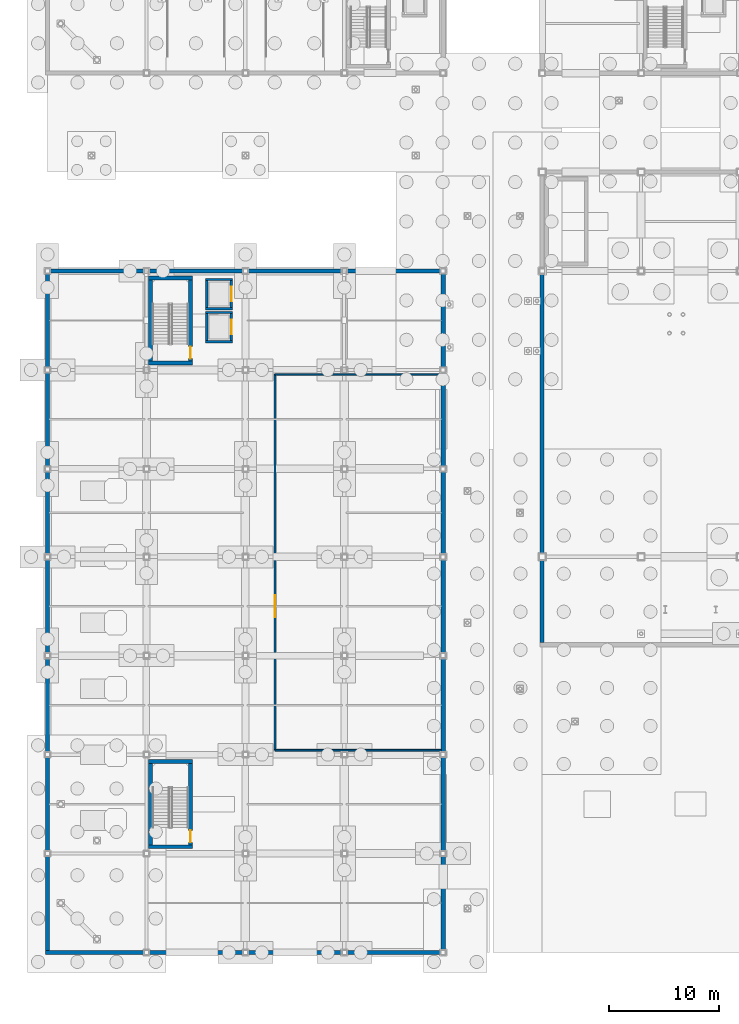
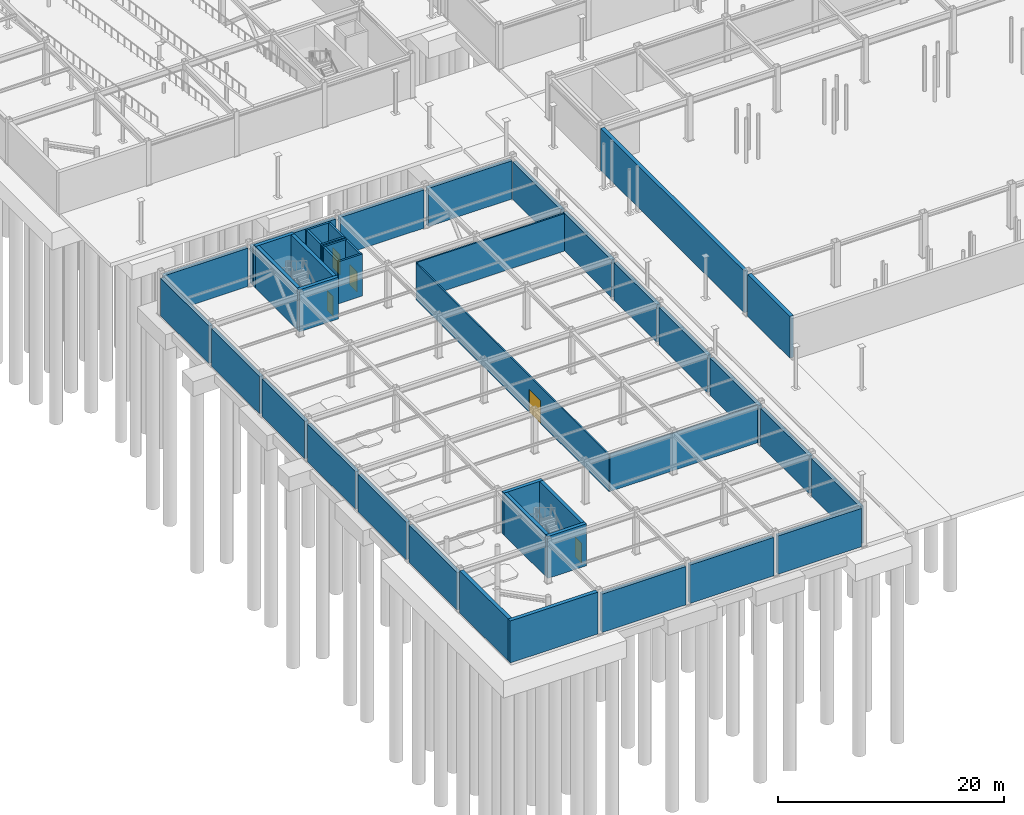
# One storey, part 52 of 74: 43 walls, 5 doors, 5 openings.
"""IFC4 building model written with IfcOpenShell, lengths in metres."""

import ifcopenshell
import ifcopenshell.guid

model = None  # the IFC model being written
_history = None  # IfcOwnerHistory: only IFC2X3 demands one
_inside = {}  # id of a spatial element -> (the spatial element, [elements in it])
_under = {}  # id of a project, library or spatial element -> (it, [spatial elements below it])
_declared = {}  # id of a project -> (the project, [libraries it declares])
_typed = {}  # id of a type object -> (the type object, [elements of that type])
_made_of = {}  # id of a material, layer set ... -> (it, [elements and type objects made of it])


def new_model(schema):
    """Start an empty IFC model of exactly this schema.

    Asked for "IFC4X3", IfcOpenShell would pick the latest addendum, in which some entities
    have other attributes; the version numbers below select the first issue.
    IFC2X3 requires an IfcOwnerHistory on every rooted entity: one is made here for all.
    """
    global model, _history
    if schema == "IFC4X3":
        model = ifcopenshell.file(schema_version=(4, 3, 0, 0))
    else:
        model = ifcopenshell.file(schema=schema)
    _inside.clear()
    _under.clear()
    _declared.clear()
    _typed.clear()
    _made_of.clear()
    _history = None
    if model.schema == "IFC2X3":
        org = make("IfcOrganization", Name="unknown")
        user = make(
            "IfcPersonAndOrganization",
            ThePerson=make("IfcPerson", FamilyName="unknown"),
            TheOrganization=org,
        )
        app = make(
            "IfcApplication",
            ApplicationDeveloper=org,
            Version="unknown",
            ApplicationFullName="unknown",
            ApplicationIdentifier="unknown",
        )
        _history = make(
            "IfcOwnerHistory",
            OwningUser=user,
            OwningApplication=app,
            ChangeAction="ADDED",
            CreationDate=0,
        )
    return model


def make(cls, **values):
    """One entity of the class cls with the attributes given. An attribute that is None is left unset."""
    return model.create_entity(
        cls, **{name: value for name, value in values.items() if value is not None}
    )


def rooted(cls, **values):
    """An entity with a GlobalId (a new one), such as an element, a storey or a relation."""
    return make(cls, GlobalId=ifcopenshell.guid.new(), OwnerHistory=_history, **values)


def si_unit(unit_type, name, prefix=None):
    """IfcSIUnit, for example si_unit("LENGTHUNIT", "METRE", prefix="MILLI")."""
    return make("IfcSIUnit", UnitType=unit_type, Prefix=prefix, Name=name)


def assignment(units):
    """IfcUnitAssignment: the units of a project."""
    return None if units is None else make("IfcUnitAssignment", Units=units)


def point(xyz):
    """IfcCartesianPoint."""
    return None if xyz is None else make("IfcCartesianPoint", Coordinates=xyz)


def direction(xyz):
    """IfcDirection."""
    return None if xyz is None else make("IfcDirection", DirectionRatios=xyz)


def frame(location, z_axis=None, x_axis=None):
    """IfcAxis2Placement3D, a coordinate frame: its origin and axes. An axis left out is left unset."""
    return make(
        "IfcAxis2Placement3D",
        Location=point(location),
        Axis=direction(z_axis),
        RefDirection=direction(x_axis),
    )


def frame_2d(location, x_axis=None):
    """IfcAxis2Placement2D, a coordinate frame in the plane: its origin and x axis."""
    return make(
        "IfcAxis2Placement2D", Location=point(location), RefDirection=direction(x_axis)
    )


def origin():
    """The frame at (0, 0, 0) with its axes left unset."""
    return frame((0.0, 0.0, 0.0))


def place(relative_to, where):
    """IfcLocalPlacement: puts the frame where relative to a parent placement (None: the world)."""
    return make(
        "IfcLocalPlacement", PlacementRelTo=relative_to, RelativePlacement=where
    )


def context(
    kind, dimensions, precision=None, world=None, true_north=None, identifier=None
):
    """IfcGeometricRepresentationContext, for example the 3D "Model" context."""
    return make(
        "IfcGeometricRepresentationContext",
        ContextIdentifier=identifier,
        ContextType=kind,
        CoordinateSpaceDimension=dimensions,
        Precision=precision,
        WorldCoordinateSystem=world,
        TrueNorth=true_north,
    )


def subcontext(parent, identifier, kind, view, scale=None):
    """IfcGeometricRepresentationSubContext, for example "Body" below "Model"."""
    return make(
        "IfcGeometricRepresentationSubContext",
        ContextIdentifier=identifier,
        ContextType=kind,
        ParentContext=parent,
        TargetScale=scale,
        TargetView=view,
    )


def project(units=None, contexts=None):
    """IfcProject with its units and contexts."""
    return rooted(
        "IfcProject",
        Name="project",
        RepresentationContexts=contexts,
        UnitsInContext=assignment(units),
    )


def spatial(cls, under=None, at=None, **own):
    """A site, building, storey or space (cls), placed at a placement, below another one or the project."""
    s = rooted(cls, ObjectPlacement=at, **own)
    if under is not None:
        _under.setdefault(under.id(), (under, []))[1].append(s)
    return s


def profile(cls, at=None, kind="AREA", **sizes):
    """A parametric profile (cls). Its sizes go by their IFC names, for example OverallWidth=200.0."""
    return make(cls, ProfileType=kind, Position=at, **sizes)


def rectangle(**sizes):
    """IfcRectangleProfileDef."""
    return profile("IfcRectangleProfileDef", **sizes)


def extrude(swept, where, along, depth):
    """IfcExtrudedAreaSolid: the profile swept, set in the frame where, extruded along a direction by depth."""
    return make(
        "IfcExtrudedAreaSolid",
        SweptArea=swept,
        Position=where,
        ExtrudedDirection=direction(along),
        Depth=depth,
    )


def shape(context_of_items, identifier, shape_type, items):
    """IfcShapeRepresentation: the items that make up one representation, for example the "Body"."""
    return make(
        "IfcShapeRepresentation",
        ContextOfItems=context_of_items,
        RepresentationIdentifier=identifier,
        RepresentationType=shape_type,
        Items=items,
    )


def material(Name=None, Category=None):
    """IfcMaterial."""
    return make("IfcMaterial", Name=Name, Category=Category)


def layer(
    of_material, thickness, ventilated=None, Name=None, Category=None, Priority=None
):
    """IfcMaterialLayer: one layer of a wall or slab, of a material (None: an air gap)."""
    return make(
        "IfcMaterialLayer",
        Material=of_material,
        LayerThickness=thickness,
        IsVentilated=ventilated,
        Name=Name,
        Category=Category,
        Priority=Priority,
    )


def layer_set(layers, Name=None):
    """IfcMaterialLayerSet."""
    return make("IfcMaterialLayerSet", MaterialLayers=layers, LayerSetName=Name)


def made_of(thing, what):
    """Note that an element or type object is made of a material, layer set ...; save() writes the relation."""
    if what is not None:
        _made_of.setdefault(what.id(), (what, []))[1].append(thing)
    return thing


def type_object(cls, material=None, **own):
    """A type object (cls), such as IfcWallType, which elements share."""
    return made_of(rooted(cls, **own), material)


def element(
    cls,
    number,
    at=None,
    inside=None,
    cuts=None,
    type_object=None,
    material=None,
    context=None,
    identifier="Body",
    shape_type=None,
    held_by="IfcProductDefinitionShape",
    body=None,
    shapes=None,
    **own,
):
    """One element of the class cls, such as IfcWall. Its Tag is "e" and its number.

    at: its placement. inside: the storey or other place that contains it. cuts: it is an
    opening in that element (IfcRelVoidsElement). A single representation is given by context,
    identifier, shape_type and body (its items); several are given by shapes. held_by: the class
    of the entity that holds the representations. save() writes the other relations.
    """
    e = rooted(cls, Tag="e%d" % number, ObjectPlacement=at, **own)
    if body is not None:
        shapes = [shape(context, identifier, shape_type, body)]
    if shapes is not None:
        e.Representation = make(held_by, Representations=shapes)
    if inside is not None:
        _inside.setdefault(inside.id(), (inside, []))[1].append(e)
    if cuts is not None:
        rooted(
            "IfcRelVoidsElement", RelatingBuildingElement=cuts, RelatedOpeningElement=e
        )
    if type_object is not None:
        _typed.setdefault(type_object.id(), (type_object, []))[1].append(e)
    return made_of(e, material)


def fill(opening, filler):
    """IfcRelFillsElement: the door or window that sits in an opening."""
    return rooted(
        "IfcRelFillsElement",
        RelatingOpeningElement=opening,
        RelatedBuildingElement=filler,
    )


def aggregate(whole, parts):
    """IfcRelAggregates: a whole, such as a stair, and the parts it consists of."""
    return rooted("IfcRelAggregates", RelatingObject=whole, RelatedObjects=parts)


def save(model, path):
    """Write the relations noted so far, then the file.

    IfcRelAggregates (storeys below a building ...), IfcRelContainedInSpatialStructure (elements
    in a storey), IfcRelDefinesByType, IfcRelAssociatesMaterial and IfcRelDeclares: one each for
    every whole, place, type object, material and project.
    """
    for whole, parts in _under.values():
        aggregate(whole, parts)
    for where, things in _inside.values():
        rooted(
            "IfcRelContainedInSpatialStructure",
            RelatedElements=things,
            RelatingStructure=where,
        )
    for kind, things in _typed.values():
        rooted("IfcRelDefinesByType", RelatedObjects=things, RelatingType=kind)
    for what, things in _made_of.values():
        rooted("IfcRelAssociatesMaterial", RelatedObjects=things, RelatingMaterial=what)
    for by, libraries in _declared.values():
        rooted("IfcRelDeclares", RelatingContext=by, RelatedDefinitions=libraries)
    model.write(path)


model = new_model("IFC4")

# Units and contexts
model_context = context("Model", 3, precision=1e-05, world=origin(), true_north=direction((0.0, 1.0)))
body_context = subcontext(model_context, "Body", "Model", "MODEL_VIEW")
ifc_project = project(units=[si_unit("LENGTHUNIT", "METRE"), si_unit("AREAUNIT", "SQUARE_METRE"), si_unit("VOLUMEUNIT", "CUBIC_METRE"), si_unit("PLANEANGLEUNIT", "RADIAN"), si_unit("MASSUNIT", "GRAM", prefix="KILO")], contexts=[model_context])

# Site, building, storey
site_placement = place(None, origin())
site = spatial("IfcSite", under=ifc_project, at=site_placement, CompositionType="ELEMENT")
building_placement = place(site_placement, origin())
building = spatial("IfcBuilding", under=site, at=building_placement, Name="Suzunagisa Mobility Hub", CompositionType="ELEMENT")
storey_placement = place(building_placement, frame((0.0, 0.0, -4.800048828125)))
storey = spatial("IfcBuildingStorey", under=building, at=storey_placement, Name="B1", CompositionType="ELEMENT", Elevation=-4.800048828125)

# Walls
ifc_material_1 = material(Name="Concrete C35/45", Category="concrete")
ifc_layer_1 = layer(ifc_material_1, 0.3798828125)
ifc_layer_set_1 = layer_set([ifc_layer_1], Name="Concrete C35/45")
wall_type_1 = type_object("IfcWallType", Name="Exterior Wall EW-06 380mm", PredefinedType="USERDEFINED", material=ifc_layer_set_1)
wall_1_placement = place(storey_placement, frame((-0.18994140625, 0.0, 0.0), z_axis=(0.0, 0.0, 1.0), x_axis=(1.0, 0.0, 0.0)))
element("IfcWall", 1, at=wall_1_placement, inside=storey, type_object=wall_type_1, Name="B1 Perimeter Retaining Wall RW-1", ObjectType="RETAINING WALL", PredefinedType="USERDEFINED", context=body_context, shape_type="SweptSolid", body=[
    extrude(rectangle(XDim=8.96484375, YDim=0.3798828125, at=frame_2d((4.482421875, 0.0))), origin(), (0.0, 0.0, 1.0), 4.5400390625),
])
for number, where, z_axis, x_axis, name in (
    (2, (9.22509765625, 0.0, 0.0), (0.0, 0.0, 1.0), (1.0, 0.0, 0.0), "B1 Perimeter Retaining Wall RW-2"),
    (3, (18.22509765625, 0.0, 0.0), (0.0, 0.0, 1.0), (1.0, 0.0, 0.0), "B1 Perimeter Retaining Wall RW-3"),
    (4, (27.22509765625, 0.0, 0.0), (0.0, 0.0, 1.0), (1.0, 0.0, 0.0), "B1 Perimeter Retaining Wall RW-4"),
):
    element("IfcWall", number, at=place(storey_placement, frame(where, z_axis=z_axis, x_axis=x_axis)), inside=storey, type_object=wall_type_1, Name=name, ObjectType="RETAINING WALL", PredefinedType="USERDEFINED", context=body_context, shape_type="SweptSolid", body=[
        extrude(rectangle(XDim=8.5498046875, YDim=0.3798828125, at=frame_2d((4.27490234375, 0.0))), origin(), (0.0, 0.0, 1.0), 4.150146484375),
    ])
for number, where, z_axis, x_axis, name in (
    (5, (36.0, 0.22509765625, 0.0), (0.0, 0.0, 1.0), (0.0, 1.0, 0.0), "B1 Perimeter Retaining Wall RW-5"),
    (6, (36.0, 9.22509765625, 0.0), (0.0, 0.0, 1.0), (0.0, 1.0, 0.0), "B1 Perimeter Retaining Wall RW-6"),
    (7, (36.0, 18.22509765625, 0.0), (0.0, 0.0, 1.0), (0.0, 1.0, 0.0), "B1 Perimeter Retaining Wall RW-7"),
    (8, (36.0, 27.22509765625, 0.0), (0.0, 0.0, 1.0), (0.0, 1.0, 0.0), "B1 Perimeter Retaining Wall RW-8"),
):
    element("IfcWall", number, at=place(storey_placement, frame(where, z_axis=z_axis, x_axis=x_axis)), inside=storey, type_object=wall_type_1, Name=name, ObjectType="RETAINING WALL", PredefinedType="USERDEFINED", context=body_context, shape_type="SweptSolid", body=[
        extrude(rectangle(XDim=8.5498046875, YDim=0.3798828125, at=frame_2d((4.27490234375, 0.0))), origin(), (0.0, 0.0, 1.0), 4.052001953125),
    ])
wall_2_placement = place(storey_placement, frame((36.0, 36.22509765625, 0.0), z_axis=(0.0, 0.0, 1.0), x_axis=(0.0, 1.0, 0.0)))
element("IfcWall", 9, at=wall_2_placement, inside=storey, type_object=wall_type_1, Name="B1 Perimeter Retaining Wall RW-9", ObjectType="RETAINING WALL", PredefinedType="USERDEFINED", context=body_context, shape_type="SweptSolid", body=[
    extrude(rectangle(XDim=7.5498046875, YDim=0.3798828125, at=frame_2d((3.77490234375, 0.0))), origin(), (0.0, 0.0, 1.0), 4.052001953125),
])
for number, where, z_axis, x_axis, name in (
    (10, (36.0, 44.22509765625, 0.0), (0.0, 0.0, 1.0), (0.0, 1.0, 0.0), "B1 Perimeter Retaining Wall RW-10"),
    (11, (36.0, 53.22509765625, 0.0), (0.0, 0.0, 1.0), (0.0, 1.0, 0.0), "B1 Perimeter Retaining Wall RW-11"),
):
    element("IfcWall", number, at=place(storey_placement, frame(where, z_axis=z_axis, x_axis=x_axis)), inside=storey, type_object=wall_type_1, Name=name, ObjectType="RETAINING WALL", PredefinedType="USERDEFINED", context=body_context, shape_type="SweptSolid", body=[
        extrude(rectangle(XDim=8.5498046875, YDim=0.3798828125, at=frame_2d((4.27490234375, 0.0))), origin(), (0.0, 0.0, 1.0), 4.052001953125),
    ])
for number, where, z_axis, x_axis, name in (
    (12, (35.77490234375, 62.0, 0.0), (0.0, 0.0, 1.0), (-1.0, 0.0, 0.0), "B1 Perimeter Retaining Wall RW-12"),
    (13, (26.77490234375, 62.0, 0.0), (0.0, 0.0, 1.0), (-1.0, 0.0, 0.0), "B1 Perimeter Retaining Wall RW-13"),
    (14, (17.77490234375, 62.0, 0.0), (0.0, 0.0, 1.0), (-1.0, 0.0, 0.0), "B1 Perimeter Retaining Wall RW-14"),
    (15, (8.77490234375, 62.0, 0.0), (0.0, 0.0, 1.0), (-1.0, 0.0, 0.0), "B1 Perimeter Retaining Wall RW-15"),
):
    element("IfcWall", number, at=place(storey_placement, frame(where, z_axis=z_axis, x_axis=x_axis)), inside=storey, type_object=wall_type_1, Name=name, ObjectType="RETAINING WALL", PredefinedType="USERDEFINED", context=body_context, shape_type="SweptSolid", body=[
        extrude(rectangle(XDim=8.5498046875, YDim=0.3798828125, at=frame_2d((4.27490234375, 0.0))), origin(), (0.0, 0.0, 1.0), 4.150146484375),
    ])
for number, where, z_axis, x_axis, name in (
    (16, (0.0, 61.77490234375, 0.0), (0.0, 0.0, 1.0), (0.0, -1.0, 0.0), "B1 Perimeter Retaining Wall RW-16"),
    (17, (0.0, 52.77490234375, 0.0), (0.0, 0.0, 1.0), (0.0, -1.0, 0.0), "B1 Perimeter Retaining Wall RW-17"),
):
    element("IfcWall", number, at=place(storey_placement, frame(where, z_axis=z_axis, x_axis=x_axis)), inside=storey, type_object=wall_type_1, Name=name, ObjectType="RETAINING WALL", PredefinedType="USERDEFINED", context=body_context, shape_type="SweptSolid", body=[
        extrude(rectangle(XDim=8.5498046875, YDim=0.3798828125, at=frame_2d((4.27490234375, 0.0))), origin(), (0.0, 0.0, 1.0), 4.052001953125),
    ])
wall_3_placement = place(storey_placement, frame((0.0, 43.77490234375, 0.0), z_axis=(0.0, 0.0, 1.0), x_axis=(0.0, -1.0, 0.0)))
element("IfcWall", 18, at=wall_3_placement, inside=storey, type_object=wall_type_1, Name="B1 Perimeter Retaining Wall RW-18", ObjectType="RETAINING WALL", PredefinedType="USERDEFINED", context=body_context, shape_type="SweptSolid", body=[
    extrude(rectangle(XDim=7.5498046875, YDim=0.3798828125, at=frame_2d((3.77490234375, 0.0))), origin(), (0.0, 0.0, 1.0), 4.052001953125),
])
for number, where, z_axis, x_axis, name in (
    (19, (0.0, 35.77490234375, 0.0), (0.0, 0.0, 1.0), (0.0, -1.0, 0.0), "B1 Perimeter Retaining Wall RW-19"),
    (20, (0.0, 26.77490234375, 0.0), (0.0, 0.0, 1.0), (0.0, -1.0, 0.0), "B1 Perimeter Retaining Wall RW-20"),
    (21, (0.0, 17.77490234375, 0.0), (0.0, 0.0, 1.0), (0.0, -1.0, 0.0), "B1 Perimeter Retaining Wall RW-21"),
):
    element("IfcWall", number, at=place(storey_placement, frame(where, z_axis=z_axis, x_axis=x_axis)), inside=storey, type_object=wall_type_1, Name=name, ObjectType="RETAINING WALL", PredefinedType="USERDEFINED", context=body_context, shape_type="SweptSolid", body=[
        extrude(rectangle(XDim=8.5498046875, YDim=0.3798828125, at=frame_2d((4.27490234375, 0.0))), origin(), (0.0, 0.0, 1.0), 4.052001953125),
    ])
wall_4_placement = place(storey_placement, frame((0.0, 8.77490234375, 0.0), z_axis=(0.0, 0.0, 1.0), x_axis=(0.0, -1.0, 0.0)))
element("IfcWall", 22, at=wall_4_placement, inside=storey, type_object=wall_type_1, Name="B1 Perimeter Retaining Wall RW-22", ObjectType="RETAINING WALL", PredefinedType="USERDEFINED", context=body_context, shape_type="SweptSolid", body=[
    extrude(rectangle(XDim=8.5849609375, YDim=0.3798828125, at=frame_2d((4.29248046875, 0.0))), origin(), (0.0, 0.0, 1.0), 4.5400390625),
])
wall_5_placement = place(storey_placement, frame((45.0, 61.75, 0.0), z_axis=(0.0, 0.0, 1.0), x_axis=(0.0, -1.0, 0.0)))
element("IfcWall", 23, at=wall_5_placement, inside=storey, type_object=wall_type_1, Name="B1 Perimeter Retaining Wall RW-70", ObjectType="RETAINING WALL", PredefinedType="USERDEFINED", context=body_context, shape_type="SweptSolid", body=[
    extrude(rectangle(XDim=25.449951171875, YDim=0.3798828125, at=frame_2d((12.72509765625, 0.0))), origin(), (0.0, 0.0, 1.0), 4.52001953125),
])
wall_6_placement = place(storey_placement, frame((45.0, 35.699951171875, 0.0), z_axis=(0.0, 0.0, 1.0), x_axis=(0.0, -1.0, 0.0)))
element("IfcWall", 24, at=wall_6_placement, inside=storey, type_object=wall_type_1, Name="B1 Perimeter Retaining Wall RW-71", ObjectType="RETAINING WALL", PredefinedType="USERDEFINED", context=body_context, shape_type="SweptSolid", body=[
    extrude(rectangle(XDim=7.510009765625, YDim=0.3798828125, at=frame_2d((3.7548828125, 0.0))), origin(), (0.0, 0.0, 1.0), 4.52001953125),
])

# Wall, opening, door
ifc_material_2 = material(Name="Fire-Rated Gypsum Stud Partition", Category="gypsum")
ifc_layer_2 = layer(ifc_material_2, 0.2099609375)
ifc_layer_set_2 = layer_set([ifc_layer_2], Name="Fire-Rated Gypsum Stud Partition")
wall_type_2 = type_object("IfcWallType", Name="Interior Wall IW-03 210mm", PredefinedType="PARTITIONING", material=ifc_layer_set_2)
wall_7_placement = place(storey_placement, frame((16.72509765625, 55.679931640625, 0.0), z_axis=(0.0, 0.0, 1.0), x_axis=(0.0, 1.0, 0.0)))
wall_7 = element("IfcWall", 25, at=wall_7_placement, inside=storey, type_object=wall_type_2, Name="B1 Lift LF-01 Shaft Front Wall", PredefinedType="PARTITIONING", context=body_context, shape_type="SweptSolid", body=[
    extrude(rectangle(XDim=2.440185546875, YDim=0.2099609375, at=frame_2d((1.22021484375, 0.0))), origin(), (0.0, 0.0, 1.0), 4.5400390625),
])
opening_1_placement = place(wall_7_placement, frame((0.570068359375, 0.0, 0.0)))
opening_1 = element("IfcOpeningElement", 26, at=opening_1_placement, cuts=wall_7, Name="Opening LD-02", PredefinedType="OPENING", context=body_context, shape_type="SweptSolid", body=[
    extrude(rectangle(XDim=1.300048828125, YDim=2.199951171875, at=frame_2d((0.64990234375, 1.10009765625))), frame((0.0, 0.115966796875, 0.0), z_axis=(0.0, -1.0, 0.0), x_axis=(1.0, 0.0, 0.0)), (0.0, 0.0, 1.0), 0.23193359375),
])
ifc_material_3 = material(Name="Brushed Stainless Steel SUS304", Category="metal")
door_type_1 = type_object("IfcDoorType", Name="Lift Landing Sliding Door LD-02 1300x2200", OperationType="SLIDING_TO_LEFT", PredefinedType="DOOR", material=ifc_material_3)
door_1_placement = place(opening_1_placement, origin())
door_1 = element("IfcDoor", 27, at=door_1_placement, inside=storey, type_object=door_type_1, Name="B1 Lift LF-01 Sliding Landing Door", OperationType="SLIDING_TO_RIGHT", OverallHeight=2.199951171875, OverallWidth=1.300048828125, PredefinedType="DOOR", context=body_context, shape_type="SweptSolid", body=[
    extrude(rectangle(XDim=1.300048828125, YDim=2.199951171875, at=frame_2d((0.64990234375, 1.10009765625))), frame((0.0, 0.02490234375, 0.0), z_axis=(0.0, -1.0, 0.0), x_axis=(1.0, 0.0, 0.0)), (0.0, 0.0, 1.0), 0.050048828125),
])
fill(opening_1, door_1)

# Walls
wall_8_placement = place(storey_placement, frame((14.47509765625, 55.679931640625, 0.0), z_axis=(0.0, 0.0, 1.0), x_axis=(0.0, 1.0, 0.0)))
element("IfcWall", 28, at=wall_8_placement, inside=storey, type_object=wall_type_2, Name="B1 Lift LF-01 Shaft Back Wall", PredefinedType="PARTITIONING", context=body_context, shape_type="SweptSolid", body=[
    extrude(rectangle(XDim=2.440185546875, YDim=0.2099609375, at=frame_2d((1.22021484375, 0.0))), origin(), (0.0, 0.0, 1.0), 4.5400390625),
])
for number, where, z_axis, x_axis, name in (
    (29, (14.3701171875, 55.574951171875, 0.0), (0.0, 0.0, 1.0), (1.0, 0.0, 0.0), "B1 Lift LF-01 Shaft South Wall"),
    (30, (14.3701171875, 58.22509765625, 0.0), (0.0, 0.0, 1.0), (1.0, 0.0, 0.0), "B1 Lift LF-01 Shaft North Wall"),
):
    element("IfcWall", number, at=place(storey_placement, frame(where, z_axis=z_axis, x_axis=x_axis)), inside=storey, type_object=wall_type_2, Name=name, PredefinedType="PARTITIONING", context=body_context, shape_type="SweptSolid", body=[
        extrude(rectangle(XDim=2.4599609375, YDim=0.2099609375, at=frame_2d((1.22998046875, 0.0))), origin(), (0.0, 0.0, 1.0), 4.5400390625),
    ])

# Wall, opening, door
wall_9_placement = place(storey_placement, frame((16.72509765625, 58.679931640625, 0.0), z_axis=(0.0, 0.0, 1.0), x_axis=(0.0, 1.0, 0.0)))
wall_9 = element("IfcWall", 31, at=wall_9_placement, inside=storey, type_object=wall_type_2, Name="B1 Lift LF-02 Shaft Front Wall", PredefinedType="PARTITIONING", context=body_context, shape_type="SweptSolid", body=[
    extrude(rectangle(XDim=2.440185546875, YDim=0.2099609375, at=frame_2d((1.22021484375, 0.0))), origin(), (0.0, 0.0, 1.0), 4.5400390625),
])
opening_2_placement = place(wall_9_placement, frame((0.570068359375, 0.0, 0.0)))
opening_2 = element("IfcOpeningElement", 32, at=opening_2_placement, cuts=wall_9, Name="Opening LD-02", PredefinedType="OPENING", context=body_context, shape_type="SweptSolid", body=[
    extrude(rectangle(XDim=1.300048828125, YDim=2.199951171875, at=frame_2d((0.64990234375, 1.10009765625))), frame((0.0, 0.115966796875, 0.0), z_axis=(0.0, -1.0, 0.0), x_axis=(1.0, 0.0, 0.0)), (0.0, 0.0, 1.0), 0.23193359375),
])
door_2_placement = place(opening_2_placement, origin())
door_2 = element("IfcDoor", 33, at=door_2_placement, inside=storey, type_object=door_type_1, Name="B1 Lift LF-02 Sliding Landing Door", OperationType="SLIDING_TO_LEFT", OverallHeight=2.199951171875, OverallWidth=1.300048828125, PredefinedType="DOOR", context=body_context, shape_type="SweptSolid", body=[
    extrude(rectangle(XDim=1.300048828125, YDim=2.199951171875, at=frame_2d((0.64990234375, 1.10009765625))), frame((0.0, 0.02490234375, 0.0), z_axis=(0.0, -1.0, 0.0), x_axis=(1.0, 0.0, 0.0)), (0.0, 0.0, 1.0), 0.050048828125),
])
fill(opening_2, door_2)

# Walls
wall_10_placement = place(storey_placement, frame((14.47509765625, 58.679931640625, 0.0), z_axis=(0.0, 0.0, 1.0), x_axis=(0.0, 1.0, 0.0)))
element("IfcWall", 34, at=wall_10_placement, inside=storey, type_object=wall_type_2, Name="B1 Lift LF-02 Shaft Back Wall", PredefinedType="PARTITIONING", context=body_context, shape_type="SweptSolid", body=[
    extrude(rectangle(XDim=2.440185546875, YDim=0.2099609375, at=frame_2d((1.22021484375, 0.0))), origin(), (0.0, 0.0, 1.0), 4.5400390625),
])
for number, where, z_axis, x_axis, name in (
    (35, (14.3701171875, 58.574951171875, 0.0), (0.0, 0.0, 1.0), (1.0, 0.0, 0.0), "B1 Lift LF-02 Shaft South Wall"),
    (36, (14.3701171875, 61.22509765625, 0.0), (0.0, 0.0, 1.0), (1.0, 0.0, 0.0), "B1 Lift LF-02 Shaft North Wall"),
):
    element("IfcWall", number, at=place(storey_placement, frame(where, z_axis=z_axis, x_axis=x_axis)), inside=storey, type_object=wall_type_2, Name=name, PredefinedType="PARTITIONING", context=body_context, shape_type="SweptSolid", body=[
        extrude(rectangle(XDim=2.4599609375, YDim=0.2099609375, at=frame_2d((1.22998046875, 0.0))), origin(), (0.0, 0.0, 1.0), 4.5400390625),
    ])
ifc_layer_3 = layer(ifc_material_1, 0.35009765625)
ifc_layer_set_3 = layer_set([ifc_layer_3], Name="Concrete C35/45")
wall_type_3 = type_object("IfcWallType", Name="Interior Wall IW-04 350mm", PredefinedType="SHEAR", material=ifc_layer_set_3)
for number, where, z_axis, x_axis, name in (
    (37, (9.2099609375, 53.625, 0.0), (0.0, 0.0, 1.0), (1.0, 0.0, 0.0), "B1 Core C1 Shear Wall SW-1"),
    (38, (9.2099609375, 61.375, 0.0), (0.0, 0.0, 1.0), (1.0, 0.0, 0.0), "B1 Core C1 Shear Wall SW-2"),
):
    element("IfcWall", number, at=place(storey_placement, frame(where, z_axis=z_axis, x_axis=x_axis)), inside=storey, type_object=wall_type_3, Name=name, PredefinedType="SHEAR", context=body_context, shape_type="SweptSolid", body=[
        extrude(rectangle(XDim=3.97998046875, YDim=0.35009765625, at=frame_2d((1.989990234375, 0.0))), origin(), (0.0, 0.0, 1.0), 4.5400390625),
    ])
wall_11_placement = place(storey_placement, frame((9.385009765625, 53.800048828125, 0.0), z_axis=(0.0, 0.0, 1.0), x_axis=(0.0, 1.0, 0.0)))
element("IfcWall", 39, at=wall_11_placement, inside=storey, type_object=wall_type_3, Name="B1 Core C1 Shear Wall SW-3", PredefinedType="SHEAR", context=body_context, shape_type="SweptSolid", body=[
    extrude(rectangle(XDim=7.39990234375, YDim=0.35009765625, at=frame_2d((3.699951171875, 0.0))), origin(), (0.0, 0.0, 1.0), 4.5400390625),
])

# Wall, opening, door
wall_12_placement = place(storey_placement, frame((13.014892578125, 53.800048828125, 0.0), z_axis=(0.0, 0.0, 1.0), x_axis=(0.0, 1.0, 0.0)))
wall_12 = element("IfcWall", 40, at=wall_12_placement, inside=storey, type_object=wall_type_3, Name="B1 Core C1 Shear Wall SW-4", PredefinedType="SHEAR", context=body_context, shape_type="SweptSolid", body=[
    extrude(rectangle(XDim=7.39990234375, YDim=0.35009765625, at=frame_2d((3.699951171875, 0.0))), origin(), (0.0, 0.0, 1.0), 4.5400390625),
])
opening_3_placement = place(wall_12_placement, frame((0.219970703125, 0.0, 0.0)))
opening_3 = element("IfcOpeningElement", 41, at=opening_3_placement, cuts=wall_12, Name="Opening DR-05", PredefinedType="OPENING", context=body_context, shape_type="SweptSolid", body=[
    extrude(rectangle(XDim=1.10009765625, YDim=2.14990234375, at=frame_2d((0.550048828125, 1.074951171875))), frame((0.0, 0.18603515625, 0.0), z_axis=(0.0, -1.0, 0.0), x_axis=(1.0, 0.0, 0.0)), (0.0, 0.0, 1.0), 0.3720703125),
])
ifc_material_4 = material(Name="Fire-Rated Hollow Steel Stair Door", Category="steel")
door_type_2 = type_object("IfcDoorType", Name="Interior Door DR-05 1100x2150", OperationType="SINGLE_SWING_LEFT", PredefinedType="DOOR", material=ifc_material_4)
door_3_placement = place(opening_3_placement, origin())
door_3 = element("IfcDoor", 42, at=door_3_placement, inside=storey, type_object=door_type_2, Name="B1 Core C1 Escape Stair Fire Door SD-1", OperationType="SINGLE_SWING_RIGHT", OverallHeight=2.14990234375, OverallWidth=1.10009765625, PredefinedType="DOOR", context=body_context, shape_type="SweptSolid", body=[
    extrude(rectangle(XDim=1.10009765625, YDim=2.14990234375, at=frame_2d((0.550048828125, 1.074951171875))), frame((0.0, 0.02490234375, 0.0), z_axis=(0.0, -1.0, 0.0), x_axis=(1.0, 0.0, 0.0)), (0.0, 0.0, 1.0), 0.050048828125),
])
fill(opening_3, door_3)

# Walls
for number, where, z_axis, x_axis, name in (
    (43, (9.2099609375, 9.625, 0.0), (0.0, 0.0, 1.0), (1.0, 0.0, 0.0), "B1 Core C1B Shear Wall SW-61"),
    (44, (9.2099609375, 17.375, 0.0), (0.0, 0.0, 1.0), (1.0, 0.0, 0.0), "B1 Core C1B Shear Wall SW-62"),
):
    element("IfcWall", number, at=place(storey_placement, frame(where, z_axis=z_axis, x_axis=x_axis)), inside=storey, type_object=wall_type_3, Name=name, PredefinedType="SHEAR", context=body_context, shape_type="SweptSolid", body=[
        extrude(rectangle(XDim=3.97998046875, YDim=0.35009765625, at=frame_2d((1.989990234375, 0.0))), origin(), (0.0, 0.0, 1.0), 4.5400390625),
    ])
wall_13_placement = place(storey_placement, frame((9.385009765625, 9.800048828125, 0.0), z_axis=(0.0, 0.0, 1.0), x_axis=(0.0, 1.0, 0.0)))
element("IfcWall", 45, at=wall_13_placement, inside=storey, type_object=wall_type_3, Name="B1 Core C1B Shear Wall SW-63", PredefinedType="SHEAR", context=body_context, shape_type="SweptSolid", body=[
    extrude(rectangle(XDim=7.39990234375, YDim=0.35009765625, at=frame_2d((3.699951171875, 0.0))), origin(), (0.0, 0.0, 1.0), 4.5400390625),
])

# Wall, opening, door
wall_14_placement = place(storey_placement, frame((13.014892578125, 9.800048828125, 0.0), z_axis=(0.0, 0.0, 1.0), x_axis=(0.0, 1.0, 0.0)))
wall_14 = element("IfcWall", 46, at=wall_14_placement, inside=storey, type_object=wall_type_3, Name="B1 Core C1B Shear Wall SW-64", PredefinedType="SHEAR", context=body_context, shape_type="SweptSolid", body=[
    extrude(rectangle(XDim=7.39990234375, YDim=0.35009765625, at=frame_2d((3.699951171875, 0.0))), origin(), (0.0, 0.0, 1.0), 4.5400390625),
])
opening_4_placement = place(wall_14_placement, frame((0.219970703125, 0.0, 0.0)))
opening_4 = element("IfcOpeningElement", 47, at=opening_4_placement, cuts=wall_14, Name="Opening DR-05", PredefinedType="OPENING", context=body_context, shape_type="SweptSolid", body=[
    extrude(rectangle(XDim=1.10009765625, YDim=2.14990234375, at=frame_2d((0.550048828125, 1.074951171875))), frame((0.0, 0.18603515625, 0.0), z_axis=(0.0, -1.0, 0.0), x_axis=(1.0, 0.0, 0.0)), (0.0, 0.0, 1.0), 0.3720703125),
])
door_4_placement = place(opening_4_placement, origin())
door_4 = element("IfcDoor", 48, at=door_4_placement, inside=storey, type_object=door_type_2, Name="B1 Core C1B Escape Stair Fire Door SD-16", OperationType="SINGLE_SWING_LEFT", OverallHeight=2.14990234375, OverallWidth=1.10009765625, PredefinedType="DOOR", context=body_context, shape_type="SweptSolid", body=[
    extrude(rectangle(XDim=1.10009765625, YDim=2.14990234375, at=frame_2d((0.550048828125, 1.074951171875))), frame((0.0, 0.02490234375, 0.0), z_axis=(0.0, -1.0, 0.0), x_axis=(1.0, 0.0, 0.0)), (0.0, 0.0, 1.0), 0.050048828125),
])
fill(opening_4, door_4)

# Walls
ifc_material_5 = material(Name="Acoustic Steel-Stud Gypsum Partition", Category="steel")
ifc_layer_4 = layer(ifc_material_5, 0.14501953125)
ifc_layer_set_4 = layer_set([ifc_layer_4], Name="Acoustic Steel-Stud Gypsum Partition")
wall_type_4 = type_object("IfcWallType", Name="Interior Wall IW-06 145mm", PredefinedType="PARTITIONING", material=ifc_layer_set_4)
for number, where, z_axis, x_axis, name in (
    (49, (20.699951171875, 18.39990234375, 0.0), (0.0, 0.0, 1.0), (1.0, 0.0, 0.0), "B1 Cycle Maintenance and Spare Parts Store B1 Partition PW-675"),
    (50, (20.699951171875, 52.60009765625, 0.0), (0.0, 0.0, 1.0), (1.0, 0.0, 0.0), "B1 Cycle Maintenance and Spare Parts Store B1 Partition PW-676"),
):
    element("IfcWall", number, at=place(storey_placement, frame(where, z_axis=z_axis, x_axis=x_axis)), inside=storey, type_object=wall_type_4, Name=name, PredefinedType="PARTITIONING", context=body_context, shape_type="SweptSolid", body=[
        extrude(rectangle(XDim=15.135009765625, YDim=0.14501953125, at=frame_2d((7.5673828125, 0.0))), origin(), (0.0, 0.0, 1.0), 4.052001953125),
    ])

# Wall, opening, door
wall_15_placement = place(storey_placement, frame((20.699951171875, 18.39990234375, 0.0), z_axis=(0.0, 0.0, 1.0), x_axis=(0.0, 1.0, 0.0)))
wall_15 = element("IfcWall", 51, at=wall_15_placement, inside=storey, type_object=wall_type_4, Name="B1 Cycle Maintenance and Spare Parts Store B1 Partition PW-677", PredefinedType="PARTITIONING", context=body_context, shape_type="SweptSolid", body=[
    extrude(rectangle(XDim=34.2001953125, YDim=0.14501953125, at=frame_2d((17.10009765625, 0.0))), origin(), (0.0, 0.0, 1.0), 3.9521484375),
])
opening_5_placement = place(wall_15_placement, frame((12.090087890625, 0.0, 0.0)))
opening_5 = element("IfcOpeningElement", 52, at=opening_5_placement, cuts=wall_15, Name="Opening DR-22", PredefinedType="OPENING", context=body_context, shape_type="SweptSolid", body=[
    extrude(rectangle(XDim=2.02001953125, YDim=2.5, at=frame_2d((1.010009765625, 1.25))), frame((0.0, 0.08349609375, 0.0), z_axis=(0.0, -1.0, 0.0), x_axis=(1.0, 0.0, 0.0)), (0.0, 0.0, 1.0), 0.1669921875),
])
ifc_material_6 = material(Name="Anodized Aluminum Double Pavilion Door", Category="aluminium")
door_type_3 = type_object("IfcDoorType", Name="Interior Door DR-22 2020x2500", OperationType="SINGLE_SWING_LEFT", PredefinedType="DOOR", material=ifc_material_6)
door_5_placement = place(opening_5_placement, origin())
door_5 = element("IfcDoor", 53, at=door_5_placement, inside=storey, type_object=door_type_3, Name="B1 Cycle Maintenance and Spare Parts Store B1 Door DR-170", OperationType="SINGLE_SWING_LEFT", OverallHeight=2.5, OverallWidth=2.02001953125, PredefinedType="DOOR", context=body_context, shape_type="SweptSolid", body=[
    extrude(rectangle(XDim=2.02001953125, YDim=2.5, at=frame_2d((1.010009765625, 1.25))), frame((0.0, 0.02490234375, 0.0), z_axis=(0.0, -1.0, 0.0), x_axis=(1.0, 0.0, 0.0)), (0.0, 0.0, 1.0), 0.050048828125),
])
fill(opening_5, door_5)

save(model, "model.ifc")
